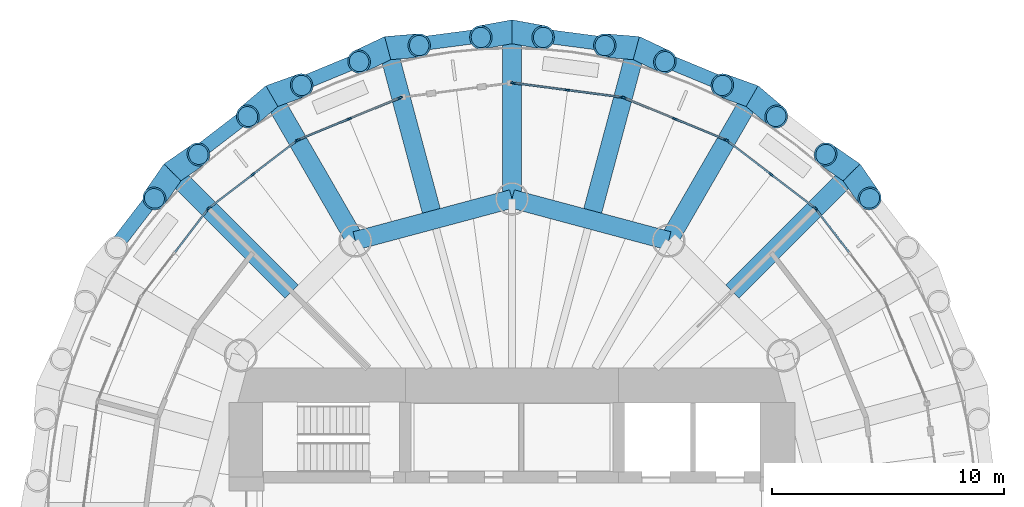
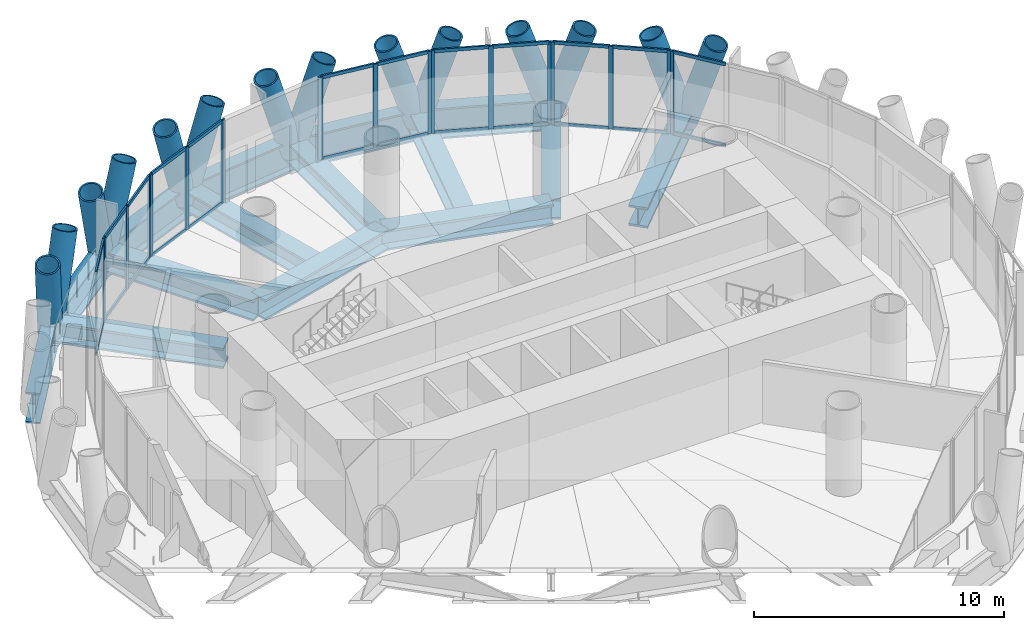
# One storey, part 5 of 12: 55 members, 15 beams, 7 elements without a shape of their own.
"""IFC4 building model written with IfcOpenShell, lengths in metres."""

from ifc_helpers import new_model, si_unit, direction, frame, origin, origin_2d, place, context, subcontext, project, spatial, rectangle, hollow_circle, i_section, extrude, material, material_profile, profile_set, type_object, element, aggregate, save


model = new_model("IFC4")

# Units and contexts
model_context = context("Model", 3, precision=1e-05, world=origin(), true_north=direction((0.0, 1.0)))
body_context = subcontext(model_context, "Body", "Model", "MODEL_VIEW")
ifc_project = project(units=[si_unit("LENGTHUNIT", "METRE"), si_unit("AREAUNIT", "SQUARE_METRE"), si_unit("VOLUMEUNIT", "CUBIC_METRE"), si_unit("PLANEANGLEUNIT", "RADIAN"), si_unit("MASSUNIT", "GRAM", prefix="KILO")], contexts=[model_context])

# Site, building, storey
site_placement = place(None, origin())
site = spatial("IfcSite", under=ifc_project, at=site_placement, CompositionType="ELEMENT")
building_placement = place(site_placement, origin())
building = spatial("IfcBuilding", under=site, at=building_placement, Name="Qaws Media Tower", CompositionType="ELEMENT")
storey_placement = place(building_placement, frame((0.0, 0.0, 278.0)))
storey = spatial("IfcBuildingStorey", under=building, at=storey_placement, Name="L64", CompositionType="ELEMENT", Elevation=278.0)

# Curtain wall, member
ifc_material_1 = material(Name="Aluminium and clear glass", Category="aluminium")
curtain_wall_type = type_object("IfcCurtainWallType", Name="Unitised curtain wall CW-D", PredefinedType="NOTDEFINED", material=ifc_material_1)
curtain_wall_1_placement = place(storey_placement, origin())
curtain_wall_1 = element("IfcCurtainWall", 1, at=curtain_wall_1_placement, inside=storey, type_object=curtain_wall_type, Name="CWD curtain wall L64-03", PredefinedType="NOTDEFINED")
ifc_material_2 = material(Name="Aluminium mullion", Category="aluminium")
ifc_material_profile_1 = material_profile(ifc_material_2, rectangle(XDim=0.080078125, YDim=0.199951171875, at=origin_2d()), Name="80x200")
ifc_profile_set_1 = profile_set([ifc_material_profile_1], Name="Aluminium mullion")
member_type_1 = type_object("IfcMemberType", Name="Curtain wall mullion 80x200", PredefinedType="MULLION", material=ifc_profile_set_1)
member_1_placement = place(storey_placement, frame((73.105712890625, 63.0498046875, 0.0), z_axis=(0.0, 0.0, 1.0), x_axis=(-0.793353257417, -0.608761537012, 0.0)))
member_1 = element("IfcMember", 2, at=member_1_placement, type_object=member_type_1, Name="CWD mullion 3", PredefinedType="MULLION", context=body_context, shape_type="SweptSolid", body=[
    extrude(rectangle(XDim=0.080078125, YDim=0.199951171875, at=origin_2d()), origin(), (0.0, 0.0, 1.0), 4.0400390625),
])

# Curtain wall, members
curtain_wall_2_placement = place(storey_placement, origin())
curtain_wall_2 = element("IfcCurtainWall", 3, at=curtain_wall_2_placement, inside=storey, type_object=curtain_wall_type, Name="CWD curtain wall L64-04", PredefinedType="NOTDEFINED")
member_2_placement = place(storey_placement, frame((73.0498046875, 63.105712890625, 0.0), z_axis=(0.0, 0.0, 1.0), x_axis=(-0.608761537012, -0.793353257417, 0.0)))
member_2 = element("IfcMember", 4, at=member_2_placement, type_object=member_type_1, Name="CWD mullion 1", PredefinedType="MULLION", context=body_context, shape_type="SweptSolid", body=[
    extrude(rectangle(XDim=0.080078125, YDim=0.199951171875, at=origin_2d()), origin(), (0.0, 0.0, 1.0), 4.0400390625),
])
member_3_placement = place(storey_placement, frame((71.165771484375, 64.551513671875, 0.0), z_axis=(0.0, 0.0, 1.0), x_axis=(-0.608761537012, -0.793353257417, 0.0)))
member_3 = element("IfcMember", 5, at=member_3_placement, type_object=member_type_1, Name="CWD mullion 2", PredefinedType="MULLION", context=body_context, shape_type="SweptSolid", body=[
    extrude(rectangle(XDim=0.080078125, YDim=0.199951171875, at=origin_2d()), origin(), (0.0, 0.0, 1.0), 4.0400390625),
])
member_4_placement = place(storey_placement, frame((69.28173828125, 65.9970703125, 0.0), z_axis=(0.0, 0.0, 1.0), x_axis=(-0.608761537012, -0.793353257417, 0.0)))
member_4 = element("IfcMember", 6, at=member_4_placement, type_object=member_type_1, Name="CWD mullion 3", PredefinedType="MULLION", context=body_context, shape_type="SweptSolid", body=[
    extrude(rectangle(XDim=0.080078125, YDim=0.199951171875, at=origin_2d()), origin(), (0.0, 0.0, 1.0), 4.0400390625),
])

curtain_wall_3_placement = place(storey_placement, origin())
curtain_wall_3 = element("IfcCurtainWall", 7, at=curtain_wall_3_placement, inside=storey, type_object=curtain_wall_type, Name="CWD curtain wall L64-05", PredefinedType="NOTDEFINED")
member_5_placement = place(storey_placement, frame((69.213134765625, 66.036865234375, 0.0), z_axis=(0.0, 0.0, 1.0), x_axis=(-0.382683440347, -0.923879529205, 0.0)))
member_5 = element("IfcMember", 8, at=member_5_placement, type_object=member_type_1, Name="CWD mullion 1", PredefinedType="MULLION", context=body_context, shape_type="SweptSolid", body=[
    extrude(rectangle(XDim=0.080078125, YDim=0.199951171875, at=origin_2d()), origin(), (0.0, 0.0, 1.0), 4.0400390625),
])
member_6_placement = place(storey_placement, frame((67.01904296875, 66.945556640625, 0.0), z_axis=(0.0, 0.0, 1.0), x_axis=(-0.382683440347, -0.923879529205, 0.0)))
member_6 = element("IfcMember", 9, at=member_6_placement, type_object=member_type_1, Name="CWD mullion 2", PredefinedType="MULLION", context=body_context, shape_type="SweptSolid", body=[
    extrude(rectangle(XDim=0.080078125, YDim=0.199951171875, at=origin_2d()), origin(), (0.0, 0.0, 1.0), 4.0400390625),
])
member_7_placement = place(storey_placement, frame((64.8251953125, 67.854248046875, 0.0), z_axis=(0.0, 0.0, 1.0), x_axis=(-0.382683440347, -0.923879529205, 0.0)))
member_7 = element("IfcMember", 10, at=member_7_placement, type_object=member_type_1, Name="CWD mullion 3", PredefinedType="MULLION", context=body_context, shape_type="SweptSolid", body=[
    extrude(rectangle(XDim=0.080078125, YDim=0.199951171875, at=origin_2d()), origin(), (0.0, 0.0, 1.0), 4.0400390625),
])

curtain_wall_4_placement = place(storey_placement, origin())
curtain_wall_4 = element("IfcCurtainWall", 11, at=curtain_wall_4_placement, inside=storey, type_object=curtain_wall_type, Name="CWD curtain wall L64-06", PredefinedType="NOTDEFINED")
member_8_placement = place(storey_placement, frame((64.74853515625, 67.874755859375, 0.0), z_axis=(0.0, 0.0, 1.0), x_axis=(-0.130526157699, -0.991444865919, 0.0)))
member_8 = element("IfcMember", 12, at=member_8_placement, type_object=member_type_1, Name="CWD mullion 1", PredefinedType="MULLION", context=body_context, shape_type="SweptSolid", body=[
    extrude(rectangle(XDim=0.080078125, YDim=0.199951171875, at=origin_2d()), origin(), (0.0, 0.0, 1.0), 4.0400390625),
])
member_9_placement = place(storey_placement, frame((62.39404296875, 68.184814453125, 0.0), z_axis=(0.0, 0.0, 1.0), x_axis=(-0.130526157699, -0.991444865919, 0.0)))
member_9 = element("IfcMember", 13, at=member_9_placement, type_object=member_type_1, Name="CWD mullion 2", PredefinedType="MULLION", context=body_context, shape_type="SweptSolid", body=[
    extrude(rectangle(XDim=0.080078125, YDim=0.199951171875, at=origin_2d()), origin(), (0.0, 0.0, 1.0), 4.0400390625),
])
member_10_placement = place(storey_placement, frame((60.03955078125, 68.494873046875, 0.0), z_axis=(0.0, 0.0, 1.0), x_axis=(-0.130526157699, -0.991444865919, 0.0)))
member_10 = element("IfcMember", 14, at=member_10_placement, type_object=member_type_1, Name="CWD mullion 3", PredefinedType="MULLION", context=body_context, shape_type="SweptSolid", body=[
    extrude(rectangle(XDim=0.080078125, YDim=0.199951171875, at=origin_2d()), origin(), (0.0, 0.0, 1.0), 4.0400390625),
])

curtain_wall_5_placement = place(storey_placement, origin())
curtain_wall_5 = element("IfcCurtainWall", 15, at=curtain_wall_5_placement, inside=storey, type_object=curtain_wall_type, Name="CWD curtain wall L64-08", PredefinedType="NOTDEFINED")
member_11_placement = place(storey_placement, frame((55.1748046875, 67.854248046875, 0.0), z_axis=(0.0, 0.0, 1.0), x_axis=(0.382683440347, -0.923879529205, 0.0)))
member_11 = element("IfcMember", 16, at=member_11_placement, type_object=member_type_1, Name="CWD mullion 1", PredefinedType="MULLION", context=body_context, shape_type="SweptSolid", body=[
    extrude(rectangle(XDim=0.080078125, YDim=0.199951171875, at=origin_2d()), origin(), (0.0, 0.0, 1.0), 4.0400390625),
])
member_12_placement = place(storey_placement, frame((52.98095703125, 66.945556640625, 0.0), z_axis=(0.0, 0.0, 1.0), x_axis=(0.382683440347, -0.923879529205, 0.0)))
member_12 = element("IfcMember", 17, at=member_12_placement, type_object=member_type_1, Name="CWD mullion 2", PredefinedType="MULLION", context=body_context, shape_type="SweptSolid", body=[
    extrude(rectangle(XDim=0.080078125, YDim=0.199951171875, at=origin_2d()), origin(), (0.0, 0.0, 1.0), 4.0400390625),
])
member_13_placement = place(storey_placement, frame((50.786865234375, 66.036865234375, 0.0), z_axis=(0.0, 0.0, 1.0), x_axis=(0.382683440347, -0.923879529205, 0.0)))
member_13 = element("IfcMember", 18, at=member_13_placement, type_object=member_type_1, Name="CWD mullion 3", PredefinedType="MULLION", context=body_context, shape_type="SweptSolid", body=[
    extrude(rectangle(XDim=0.080078125, YDim=0.199951171875, at=origin_2d()), origin(), (0.0, 0.0, 1.0), 4.0400390625),
])

curtain_wall_6_placement = place(storey_placement, origin())
curtain_wall_6 = element("IfcCurtainWall", 19, at=curtain_wall_6_placement, inside=storey, type_object=curtain_wall_type, Name="CWD curtain wall L64-09", PredefinedType="NOTDEFINED")
member_14_placement = place(storey_placement, frame((50.71826171875, 65.9970703125, 0.0), z_axis=(0.0, 0.0, 1.0), x_axis=(0.608761537012, -0.793353257417, 0.0)))
member_14 = element("IfcMember", 20, at=member_14_placement, type_object=member_type_1, Name="CWD mullion 1", PredefinedType="MULLION", context=body_context, shape_type="SweptSolid", body=[
    extrude(rectangle(XDim=0.080078125, YDim=0.199951171875, at=origin_2d()), origin(), (0.0, 0.0, 1.0), 4.0400390625),
])
member_15_placement = place(storey_placement, frame((48.834228515625, 64.551513671875, 0.0), z_axis=(0.0, 0.0, 1.0), x_axis=(0.608761537012, -0.793353257417, 0.0)))
member_15 = element("IfcMember", 21, at=member_15_placement, type_object=member_type_1, Name="CWD mullion 2", PredefinedType="MULLION", context=body_context, shape_type="SweptSolid", body=[
    extrude(rectangle(XDim=0.080078125, YDim=0.199951171875, at=origin_2d()), origin(), (0.0, 0.0, 1.0), 4.0400390625),
])
member_16_placement = place(storey_placement, frame((46.9501953125, 63.105712890625, 0.0), z_axis=(0.0, 0.0, 1.0), x_axis=(0.608761537012, -0.793353257417, 0.0)))
member_16 = element("IfcMember", 22, at=member_16_placement, type_object=member_type_1, Name="CWD mullion 3", PredefinedType="MULLION", context=body_context, shape_type="SweptSolid", body=[
    extrude(rectangle(XDim=0.080078125, YDim=0.199951171875, at=origin_2d()), origin(), (0.0, 0.0, 1.0), 4.0400390625),
])

# Curtain wall, member
curtain_wall_7_placement = place(storey_placement, origin())
curtain_wall_7 = element("IfcCurtainWall", 23, at=curtain_wall_7_placement, inside=storey, type_object=curtain_wall_type, Name="CWD curtain wall L64-10", PredefinedType="NOTDEFINED")
member_17_placement = place(storey_placement, frame((46.894287109375, 63.0498046875, 0.0), z_axis=(0.0, 0.0, 1.0), x_axis=(0.793353257417, -0.608761537012, 0.0)))
member_17 = element("IfcMember", 24, at=member_17_placement, type_object=member_type_1, Name="CWD mullion 1", PredefinedType="MULLION", context=body_context, shape_type="SweptSolid", body=[
    extrude(rectangle(XDim=0.080078125, YDim=0.199951171875, at=origin_2d()), origin(), (0.0, 0.0, 1.0), 4.0400390625),
])

# Member
ifc_material_3 = material(Name="Aluminium transom", Category="aluminium")
ifc_material_profile_2 = material_profile(ifc_material_3, rectangle(XDim=0.080078125, YDim=0.159912109375, at=origin_2d()), Name="80x160")
ifc_profile_set_2 = profile_set([ifc_material_profile_2], Name="Aluminium transom")
member_type_2 = type_object("IfcMemberType", Name="Curtain wall transom 80x160", PredefinedType="USERDEFINED", material=ifc_profile_set_2)
member_18_placement = place(storey_placement, frame((74.527099609375, 61.197509765625, 0.0400390625), z_axis=(-0.608764285018, 0.79335114879, 0.0), x_axis=(-0.79335114879, -0.608764285018, 0.0)))
member_18 = element("IfcMember", 25, at=member_18_placement, type_object=member_type_2, Name="CWD transom 2.1", ObjectType="TRANSOM", PredefinedType="USERDEFINED", context=body_context, shape_type="SweptSolid", body=[
    extrude(rectangle(XDim=0.080078125, YDim=0.159912109375, at=origin_2d()), origin(), (0.0, 0.0, 1.0), 2.294677734375),
])

member_19_placement = place(storey_placement, frame((74.527099609375, 61.197509765625, 4.0), z_axis=(-0.608764285018, 0.79335114879, 0.0), x_axis=(-0.79335114879, -0.608764285018, 0.0)))
member_19 = element("IfcMember", 26, at=member_19_placement, type_object=member_type_2, Name="CWD transom 2.2", ObjectType="TRANSOM", PredefinedType="USERDEFINED", context=body_context, shape_type="SweptSolid", body=[
    extrude(rectangle(XDim=0.080078125, YDim=0.159912109375, at=origin_2d()), origin(), (0.0, 0.0, 1.0), 2.294677734375),
])

aggregate(curtain_wall_1, [member_1, member_18, member_19])

member_20_placement = place(storey_placement, frame((73.01806640625, 63.130126953125, 0.0400390625), z_axis=(-0.79335114879, 0.608764285018, 0.0), x_axis=(-0.608764285018, -0.79335114879, 0.0)))
member_20 = element("IfcMember", 27, at=member_20_placement, type_object=member_type_2, Name="CWD transom 1.1", ObjectType="TRANSOM", PredefinedType="USERDEFINED", context=body_context, shape_type="SweptSolid", body=[
    extrude(rectangle(XDim=0.080078125, YDim=0.159912109375, at=origin_2d()), origin(), (0.0, 0.0, 1.0), 2.294677734375),
])

member_21_placement = place(storey_placement, frame((73.01806640625, 63.130126953125, 4.0), z_axis=(-0.79335114879, 0.608764285018, 0.0), x_axis=(-0.608764285018, -0.79335114879, 0.0)))
member_21 = element("IfcMember", 28, at=member_21_placement, type_object=member_type_2, Name="CWD transom 1.2", ObjectType="TRANSOM", PredefinedType="USERDEFINED", context=body_context, shape_type="SweptSolid", body=[
    extrude(rectangle(XDim=0.080078125, YDim=0.159912109375, at=origin_2d()), origin(), (0.0, 0.0, 1.0), 2.294677734375),
])

member_22_placement = place(storey_placement, frame((71.134033203125, 64.575927734375, 0.0400390625), z_axis=(-0.793402531875, 0.608697315925, 0.0), x_axis=(-0.608697315925, -0.793402531875, 0.0)))
member_22 = element("IfcMember", 29, at=member_22_placement, type_object=member_type_2, Name="CWD transom 2.1", ObjectType="TRANSOM", PredefinedType="USERDEFINED", context=body_context, shape_type="SweptSolid", body=[
    extrude(rectangle(XDim=0.080078125, YDim=0.159912109375, at=origin_2d()), origin(), (0.0, 0.0, 1.0), 2.294677734375),
])

member_23_placement = place(storey_placement, frame((71.134033203125, 64.575927734375, 4.0), z_axis=(-0.793402531875, 0.608697315925, 0.0), x_axis=(-0.608697315925, -0.793402531875, 0.0)))
member_23 = element("IfcMember", 30, at=member_23_placement, type_object=member_type_2, Name="CWD transom 2.2", ObjectType="TRANSOM", PredefinedType="USERDEFINED", context=body_context, shape_type="SweptSolid", body=[
    extrude(rectangle(XDim=0.080078125, YDim=0.159912109375, at=origin_2d()), origin(), (0.0, 0.0, 1.0), 2.294677734375),
])

aggregate(curtain_wall_2, [member_2, member_3, member_4, member_20, member_21, member_22, member_23])

member_24_placement = place(storey_placement, frame((69.176025390625, 66.052001953125, 0.0400390625), z_axis=(-0.923865100228, 0.382718273122, 0.0), x_axis=(-0.382718273122, -0.923865100228, 0.0)))
member_24 = element("IfcMember", 31, at=member_24_placement, type_object=member_type_2, Name="CWD transom 1.1", ObjectType="TRANSOM", PredefinedType="USERDEFINED", context=body_context, shape_type="SweptSolid", body=[
    extrude(rectangle(XDim=0.080078125, YDim=0.159912109375, at=origin_2d()), origin(), (0.0, 0.0, 1.0), 2.294677734375),
])

member_25_placement = place(storey_placement, frame((69.176025390625, 66.052001953125, 4.0), z_axis=(-0.923865100228, 0.382718273122, 0.0), x_axis=(-0.382718273122, -0.923865100228, 0.0)))
member_25 = element("IfcMember", 32, at=member_25_placement, type_object=member_type_2, Name="CWD transom 1.2", ObjectType="TRANSOM", PredefinedType="USERDEFINED", context=body_context, shape_type="SweptSolid", body=[
    extrude(rectangle(XDim=0.080078125, YDim=0.159912109375, at=origin_2d()), origin(), (0.0, 0.0, 1.0), 2.294677734375),
])

member_26_placement = place(storey_placement, frame((66.982177734375, 66.9609375, 0.0400390625), z_axis=(-0.923880682584, 0.382680655833, 0.0), x_axis=(-0.382680655833, -0.923880682584, 0.0)))
member_26 = element("IfcMember", 33, at=member_26_placement, type_object=member_type_2, Name="CWD transom 2.1", ObjectType="TRANSOM", PredefinedType="USERDEFINED", context=body_context, shape_type="SweptSolid", body=[
    extrude(rectangle(XDim=0.080078125, YDim=0.159912109375, at=origin_2d()), origin(), (0.0, 0.0, 1.0), 2.294677734375),
])

member_27_placement = place(storey_placement, frame((66.982177734375, 66.9609375, 4.0), z_axis=(-0.923880682584, 0.382680655833, 0.0), x_axis=(-0.382680655833, -0.923880682584, 0.0)))
member_27 = element("IfcMember", 34, at=member_27_placement, type_object=member_type_2, Name="CWD transom 2.2", ObjectType="TRANSOM", PredefinedType="USERDEFINED", context=body_context, shape_type="SweptSolid", body=[
    extrude(rectangle(XDim=0.080078125, YDim=0.159912109375, at=origin_2d()), origin(), (0.0, 0.0, 1.0), 2.294677734375),
])

aggregate(curtain_wall_3, [member_5, member_6, member_7, member_24, member_25, member_26, member_27])

member_28_placement = place(storey_placement, frame((64.708740234375, 67.880126953125, 0.0400390625), z_axis=(-0.991441253071, 0.130553597072, 0.0), x_axis=(-0.130553597072, -0.991441253071, 0.0)))
member_28 = element("IfcMember", 35, at=member_28_placement, type_object=member_type_2, Name="CWD transom 1.1", ObjectType="TRANSOM", PredefinedType="USERDEFINED", context=body_context, shape_type="SweptSolid", body=[
    extrude(rectangle(XDim=0.080078125, YDim=0.159912109375, at=origin_2d()), origin(), (0.0, 0.0, 1.0), 2.29443359375),
])

member_29_placement = place(storey_placement, frame((64.708740234375, 67.880126953125, 4.0), z_axis=(-0.991441253071, 0.130553597072, 0.0), x_axis=(-0.130553597072, -0.991441253071, 0.0)))
member_29 = element("IfcMember", 36, at=member_29_placement, type_object=member_type_2, Name="CWD transom 1.2", ObjectType="TRANSOM", PredefinedType="USERDEFINED", context=body_context, shape_type="SweptSolid", body=[
    extrude(rectangle(XDim=0.080078125, YDim=0.159912109375, at=origin_2d()), origin(), (0.0, 0.0, 1.0), 2.29443359375),
])

member_30_placement = place(storey_placement, frame((62.3544921875, 68.18994140625, 0.0400390625), z_axis=(-0.991443066303, 0.130539826414, 0.0), x_axis=(-0.130539826414, -0.991443066303, 0.0)))
member_30 = element("IfcMember", 37, at=member_30_placement, type_object=member_type_2, Name="CWD transom 2.1", ObjectType="TRANSOM", PredefinedType="USERDEFINED", context=body_context, shape_type="SweptSolid", body=[
    extrude(rectangle(XDim=0.080078125, YDim=0.159912109375, at=origin_2d()), origin(), (0.0, 0.0, 1.0), 2.294677734375),
])

member_31_placement = place(storey_placement, frame((62.3544921875, 68.18994140625, 4.0), z_axis=(-0.991443066303, 0.130539826414, 0.0), x_axis=(-0.130539826414, -0.991443066303, 0.0)))
member_31 = element("IfcMember", 38, at=member_31_placement, type_object=member_type_2, Name="CWD transom 2.2", ObjectType="TRANSOM", PredefinedType="USERDEFINED", context=body_context, shape_type="SweptSolid", body=[
    extrude(rectangle(XDim=0.080078125, YDim=0.159912109375, at=origin_2d()), origin(), (0.0, 0.0, 1.0), 2.294677734375),
])

aggregate(curtain_wall_4, [member_8, member_9, member_10, member_28, member_29, member_30, member_31])

member_32_placement = place(storey_placement, frame((55.137939453125, 67.839111328125, 0.0400390625), z_axis=(-0.923880682584, -0.382680655833, 0.0), x_axis=(0.382680655833, -0.923880682584, 0.0)))
member_32 = element("IfcMember", 39, at=member_32_placement, type_object=member_type_2, Name="CWD transom 1.1", ObjectType="TRANSOM", PredefinedType="USERDEFINED", context=body_context, shape_type="SweptSolid", body=[
    extrude(rectangle(XDim=0.080078125, YDim=0.159912109375, at=origin_2d()), origin(), (0.0, 0.0, 1.0), 2.294677734375),
])

member_33_placement = place(storey_placement, frame((55.137939453125, 67.839111328125, 4.0), z_axis=(-0.923880682584, -0.382680655833, 0.0), x_axis=(0.382680655833, -0.923880682584, 0.0)))
member_33 = element("IfcMember", 40, at=member_33_placement, type_object=member_type_2, Name="CWD transom 1.2", ObjectType="TRANSOM", PredefinedType="USERDEFINED", context=body_context, shape_type="SweptSolid", body=[
    extrude(rectangle(XDim=0.080078125, YDim=0.159912109375, at=origin_2d()), origin(), (0.0, 0.0, 1.0), 2.294677734375),
])

member_34_placement = place(storey_placement, frame((52.94384765625, 66.93017578125, 0.0400390625), z_axis=(-0.923865100228, -0.382718273122, 0.0), x_axis=(0.382718273122, -0.923865100228, 0.0)))
member_34 = element("IfcMember", 41, at=member_34_placement, type_object=member_type_2, Name="CWD transom 2.1", ObjectType="TRANSOM", PredefinedType="USERDEFINED", context=body_context, shape_type="SweptSolid", body=[
    extrude(rectangle(XDim=0.080078125, YDim=0.159912109375, at=origin_2d()), origin(), (0.0, 0.0, 1.0), 2.294677734375),
])

member_35_placement = place(storey_placement, frame((52.94384765625, 66.93017578125, 4.0), z_axis=(-0.923865100228, -0.382718273122, 0.0), x_axis=(0.382718273122, -0.923865100228, 0.0)))
member_35 = element("IfcMember", 42, at=member_35_placement, type_object=member_type_2, Name="CWD transom 2.2", ObjectType="TRANSOM", PredefinedType="USERDEFINED", context=body_context, shape_type="SweptSolid", body=[
    extrude(rectangle(XDim=0.080078125, YDim=0.159912109375, at=origin_2d()), origin(), (0.0, 0.0, 1.0), 2.294677734375),
])

aggregate(curtain_wall_5, [member_11, member_12, member_13, member_32, member_33, member_34, member_35])

member_36_placement = place(storey_placement, frame((50.6865234375, 65.97265625, 0.0400390625), z_axis=(-0.793402531875, -0.608697315925, 0.0), x_axis=(0.608697315925, -0.793402531875, 0.0)))
member_36 = element("IfcMember", 43, at=member_36_placement, type_object=member_type_2, Name="CWD transom 1.1", ObjectType="TRANSOM", PredefinedType="USERDEFINED", context=body_context, shape_type="SweptSolid", body=[
    extrude(rectangle(XDim=0.080078125, YDim=0.159912109375, at=origin_2d()), origin(), (0.0, 0.0, 1.0), 2.294677734375),
])

member_37_placement = place(storey_placement, frame((50.6865234375, 65.97265625, 4.0), z_axis=(-0.793402531875, -0.608697315925, 0.0), x_axis=(0.608697315925, -0.793402531875, 0.0)))
member_37 = element("IfcMember", 44, at=member_37_placement, type_object=member_type_2, Name="CWD transom 1.2", ObjectType="TRANSOM", PredefinedType="USERDEFINED", context=body_context, shape_type="SweptSolid", body=[
    extrude(rectangle(XDim=0.080078125, YDim=0.159912109375, at=origin_2d()), origin(), (0.0, 0.0, 1.0), 2.294677734375),
])

member_38_placement = place(storey_placement, frame((48.802490234375, 64.527099609375, 0.0400390625), z_axis=(-0.79335114879, -0.608764285018, 0.0), x_axis=(0.608764285018, -0.79335114879, 0.0)))
member_38 = element("IfcMember", 45, at=member_38_placement, type_object=member_type_2, Name="CWD transom 2.1", ObjectType="TRANSOM", PredefinedType="USERDEFINED", context=body_context, shape_type="SweptSolid", body=[
    extrude(rectangle(XDim=0.080078125, YDim=0.159912109375, at=origin_2d()), origin(), (0.0, 0.0, 1.0), 2.294677734375),
])

member_39_placement = place(storey_placement, frame((48.802490234375, 64.527099609375, 4.0), z_axis=(-0.79335114879, -0.608764285018, 0.0), x_axis=(0.608764285018, -0.79335114879, 0.0)))
member_39 = element("IfcMember", 46, at=member_39_placement, type_object=member_type_2, Name="CWD transom 2.2", ObjectType="TRANSOM", PredefinedType="USERDEFINED", context=body_context, shape_type="SweptSolid", body=[
    extrude(rectangle(XDim=0.080078125, YDim=0.159912109375, at=origin_2d()), origin(), (0.0, 0.0, 1.0), 2.294677734375),
])

aggregate(curtain_wall_6, [member_14, member_15, member_16, member_36, member_37, member_38, member_39])

member_40_placement = place(storey_placement, frame((46.869873046875, 63.01806640625, 0.0400390625), z_axis=(-0.608764285018, -0.79335114879, 0.0), x_axis=(0.79335114879, -0.608764285018, 0.0)))
member_40 = element("IfcMember", 47, at=member_40_placement, type_object=member_type_2, Name="CWD transom 1.1", ObjectType="TRANSOM", PredefinedType="USERDEFINED", context=body_context, shape_type="SweptSolid", body=[
    extrude(rectangle(XDim=0.080078125, YDim=0.159912109375, at=origin_2d()), origin(), (0.0, 0.0, 1.0), 2.294677734375),
])

member_41_placement = place(storey_placement, frame((46.869873046875, 63.01806640625, 4.0), z_axis=(-0.608764285018, -0.79335114879, 0.0), x_axis=(0.79335114879, -0.608764285018, 0.0)))
member_41 = element("IfcMember", 48, at=member_41_placement, type_object=member_type_2, Name="CWD transom 1.2", ObjectType="TRANSOM", PredefinedType="USERDEFINED", context=body_context, shape_type="SweptSolid", body=[
    extrude(rectangle(XDim=0.080078125, YDim=0.159912109375, at=origin_2d()), origin(), (0.0, 0.0, 1.0), 2.294677734375),
])

aggregate(curtain_wall_7, [member_17, member_40, member_41])

# Members
ifc_material_4 = material(Name="Steel S460", Category="steel")
ifc_material_profile_3 = material_profile(ifc_material_4, hollow_circle(Radius=0.508056640625, WallThickness=0.070068359375, at=origin_2d()), Name="CHS 1016x70")
ifc_profile_set_3 = profile_set([ifc_material_profile_3], Name="Steel S460")
member_type_3 = type_object("IfcMemberType", Name="Diagrid member CHS 1016x70", PredefinedType="USERDEFINED", material=ifc_profile_set_3)
for number, where, z_axis, x_axis, name in (
    (49, (74.63720703125, 64.63720703125, -0.909912109375), (-0.253789442655, 0.175606812608, 0.95118513769), (-0.569005004682, -0.822334059034, 0.0), "DG3 diagrid L64 A04"),
    (50, (74.63720703125, 64.63720703125, -0.909912109375), (0.175606812608, -0.253789442655, 0.95118513769), (0.822334059034, 0.569005004682, 0.0), "DG3 diagrid L64 B04"),
    (51, (70.35009765625, 67.9267578125, -0.909912109375), (-0.290609963526, 0.104002538317, 0.951172603223), (-0.336949106436, -0.941522862002, 0.0), "DG3 diagrid L64 A05"),
    (52, (70.35009765625, 67.9267578125, -0.909912109375), (0.23532277379, -0.199659430488, 0.951188364076), (0.646961664778, 0.762522527082, 0.0), "DG3 diagrid L64 B05"),
    (53, (65.357666015625, 69.99462890625, -0.909912109375), (-0.307638091585, 0.025267902202, 0.951167880936), (-0.081859499083, -0.996643879432, 0.0), "DG3 diagrid L64 A06"),
    (54, (65.357666015625, 69.99462890625, -0.909912109375), (0.279002496115, -0.131926269467, 0.951185085347), (0.427470137527, 0.904029469388, 0.0), "DG3 diagrid L64 B06"),
    (55, (60.0, 70.699951171875, -0.909912109375), (-0.303660346355, -0.055236104517, 0.951177883894), (0.178964260724, -0.98385557547, 0.0), "DG3 diagrid L64 A07"),
    (56, (60.0, 70.699951171875, -0.909912109375), (0.303660346355, -0.055236104517, 0.951177883894), (0.178964260724, 0.98385557547, 0.0), "DG3 diagrid L64 B07"),
    (57, (54.642333984375, 69.99462890625, -0.909912109375), (-0.279002496115, -0.131926269467, 0.951185085347), (0.427470137527, -0.904029469388, 0.0), "DG3 diagrid L64 A08"),
    (58, (54.642333984375, 69.99462890625, -0.909912109375), (0.307638091585, 0.025267902202, 0.951167880936), (-0.081859499083, 0.996643879432, 0.0), "DG3 diagrid L64 B08"),
    (59, (49.64990234375, 67.9267578125, -0.909912109375), (-0.23532277379, -0.199659430488, 0.951188364076), (0.646961664778, -0.762522527082, 0.0), "DG3 diagrid L64 A09"),
    (60, (49.64990234375, 67.9267578125, -0.909912109375), (0.290609963526, 0.104002538317, 0.951172603223), (-0.336949106436, 0.941522862002, 0.0), "DG3 diagrid L64 B09"),
    (61, (45.36279296875, 64.63720703125, -0.909912109375), (-0.175606812608, -0.253789442655, 0.95118513769), (0.822334059034, -0.569005004682, 0.0), "DG3 diagrid L64 A10"),
    (62, (45.36279296875, 64.63720703125, -0.909912109375), (0.253789442655, 0.175606812608, 0.95118513769), (-0.569005004682, 0.822334059034, 0.0), "DG3 diagrid L64 B10"),
):
    element("IfcMember", number, at=place(storey_placement, frame(where, z_axis=z_axis, x_axis=x_axis)), inside=storey, type_object=member_type_3, Name=name, ObjectType="DIAGRID", PredefinedType="USERDEFINED", context=body_context, shape_type="SweptSolid", body=[
        extrude(hollow_circle(Radius=0.508056640625, WallThickness=0.070068359375, at=origin_2d()), origin(), (0.0, 0.0, 1.0), 4.41552734375),
    ])

# Beams
ifc_material_5 = material(Name="Steel S460", Category="steel")
ifc_material_profile_4 = material_profile(ifc_material_5, i_section(OverallWidth=0.60009765625, OverallDepth=1.5, WebThickness=0.030029296875, FlangeThickness=0.080078125, at=origin_2d()), Name="PG 1500x600")
ifc_profile_set_4 = profile_set([ifc_material_profile_4], Name="Steel S460")
beam_type_1 = type_object("IfcBeamType", Name="Edge ring beam PG 1500x600", PredefinedType="BEAM", material=ifc_profile_set_4)
for number, where, z_axis, x_axis, name in (
    (63, (70.35009765625, 67.9267578125, -0.909912109375), (-0.923883575944, 0.382673670509, 0.0), (-0.382673670509, -0.923883575944, 0.0), "RB5 edge ring beam L64-05"),
    (64, (65.357666015625, 69.99462890625, -0.909912109375), (-0.991445528216, 0.130521126954, 0.0), (-0.130521126954, -0.991445528216, 0.0), "RB5 edge ring beam L64-06"),
    (65, (60.0, 70.699951171875, -0.909912109375), (-0.991445528216, -0.130521126954, 0.0), (0.130521126954, -0.991445528216, 0.0), "RB5 edge ring beam L64-07"),
    (66, (54.642333984375, 69.99462890625, -0.909912109375), (-0.923883575944, -0.382673670509, 0.0), (0.382673670509, -0.923883575944, 0.0), "RB5 edge ring beam L64-08"),
    (67, (49.64990234375, 67.9267578125, -0.909912109375), (-0.793359055165, -0.608753981167, 0.0), (0.608753981167, -0.793359055165, 0.0), "RB5 edge ring beam L64-09"),
    (68, (45.36279296875, 64.63720703125, -0.909912109375), (-0.608753981167, -0.793359055165, 0.0), (0.793359055165, -0.608753981167, 0.0), "RB5 edge ring beam L64-10"),
):
    element("IfcBeam", number, at=place(storey_placement, frame(where, z_axis=z_axis, x_axis=x_axis)), inside=storey, type_object=beam_type_1, Name=name, PredefinedType="BEAM", context=body_context, shape_type="SweptSolid", body=[
        extrude(i_section(OverallWidth=0.60009765625, OverallDepth=1.5, WebThickness=0.030029296875, FlangeThickness=0.080078125, at=origin_2d()), origin(), (0.0, 0.0, 1.0), 5.40380859375),
    ])
ifc_material_6 = material(Name="Steel S460", Category="steel")
ifc_material_profile_5 = material_profile(ifc_material_6, i_section(OverallWidth=0.800048828125, OverallDepth=1.0, WebThickness=0.0400390625, FlangeThickness=0.10009765625, at=origin_2d()), Name="PG 1000x800")
ifc_profile_set_5 = profile_set([ifc_material_profile_5], Name="Steel S460")
beam_type_2 = type_object("IfcBeamType", Name="Inner ring girder PG 1000x800", PredefinedType="BEAM", material=ifc_profile_set_5)
for number, where, z_axis, x_axis, name in (
    (69, (66.75, 61.69140625, -0.659912109375), (-0.965928090778, 0.258810593767, 0.0), (-0.258810593767, -0.965928090778, 0.0), "B3 inner ring beam L64 I03-I04"),
    (70, (60.0, 63.5, -0.659912109375), (-0.965928090778, -0.258810593767, 0.0), (0.258810593767, -0.965928090778, 0.0), "B3 inner ring beam L64 I04-I05"),
):
    element("IfcBeam", number, at=place(storey_placement, frame(where, z_axis=z_axis, x_axis=x_axis)), inside=storey, type_object=beam_type_2, Name=name, PredefinedType="BEAM", context=body_context, shape_type="SweptSolid", body=[
        extrude(i_section(OverallWidth=0.800048828125, OverallDepth=1.0, WebThickness=0.0400390625, FlangeThickness=0.10009765625, at=origin_2d()), origin(), (0.0, 0.0, 1.0), 6.988037109375),
    ])
ifc_material_7 = material(Name="Steel S460", Category="steel")
ifc_material_profile_6 = material_profile(ifc_material_7, i_section(OverallWidth=0.800048828125, OverallDepth=1.0, WebThickness=0.0400390625, FlangeThickness=0.10009765625, at=origin_2d()), Name="PG 1000x800")
ifc_profile_set_6 = profile_set([ifc_material_profile_6], Name="Steel S460")
beam_type_3 = type_object("IfcBeamType", Name="Radial girder PG 1000x800", PredefinedType="BEAM", material=ifc_profile_set_6)
beam_1_placement = place(storey_placement, frame((69.50341796875, 59.50341796875, -0.659912109375), z_axis=(0.707106781187, 0.707106781187, 0.0), x_axis=(-0.707106781187, 0.707106781187, 0.0)))
element("IfcBeam", 71, at=beam_1_placement, inside=storey, type_object=beam_type_3, Name="B1 radial beam L64 04", PredefinedType="BEAM", context=body_context, shape_type="SweptSolid", body=[
    extrude(i_section(OverallWidth=0.800048828125, OverallDepth=1.0, WebThickness=0.0400390625, FlangeThickness=0.10009765625, at=origin_2d()), origin(), (0.0, 0.0, 1.0), 7.26025390625),
])
beam_2_placement = place(storey_placement, frame((66.75, 61.69140625, -0.659912109375), z_axis=(0.500012057535, 0.866018442252, 0.0), x_axis=(-0.866018442252, 0.500012057535, 0.0)))
element("IfcBeam", 72, at=beam_2_placement, inside=storey, type_object=beam_type_3, Name="B1 radial beam L64 05", PredefinedType="BEAM", context=body_context, shape_type="SweptSolid", body=[
    extrude(i_section(OverallWidth=0.800048828125, OverallDepth=1.0, WebThickness=0.0400390625, FlangeThickness=0.10009765625, at=origin_2d()), origin(), (0.0, 0.0, 1.0), 7.199951171875),
])
beam_3_placement = place(storey_placement, frame((63.478515625, 62.98193359375, -0.659912109375), z_axis=(0.258832454679, 0.965922233104, 0.0), x_axis=(-0.965922233104, 0.258832454679, 0.0)))
element("IfcBeam", 73, at=beam_3_placement, inside=storey, type_object=beam_type_3, Name="B1 radial beam L64 06", PredefinedType="BEAM", context=body_context, shape_type="SweptSolid", body=[
    extrude(i_section(OverallWidth=0.800048828125, OverallDepth=1.0, WebThickness=0.0400390625, FlangeThickness=0.10009765625, at=origin_2d()), origin(), (0.0, 0.0, 1.0), 7.260009765625),
])
beam_4_placement = place(storey_placement, frame((60.0, 63.5, -0.659912109375), z_axis=(0.0, 1.0, 0.0), x_axis=(-1.0, 0.0, 0.0)))
element("IfcBeam", 74, at=beam_4_placement, inside=storey, type_object=beam_type_3, Name="B1 radial beam L64 07", PredefinedType="BEAM", context=body_context, shape_type="SweptSolid", body=[
    extrude(i_section(OverallWidth=0.800048828125, OverallDepth=1.0, WebThickness=0.0400390625, FlangeThickness=0.10009765625, at=origin_2d()), origin(), (0.0, 0.0, 1.0), 7.199951171875),
])
beam_5_placement = place(storey_placement, frame((56.521484375, 62.98193359375, -0.659912109375), z_axis=(-0.258832454679, 0.965922233104, 0.0), x_axis=(-0.965922233104, -0.258832454679, 0.0)))
element("IfcBeam", 75, at=beam_5_placement, inside=storey, type_object=beam_type_3, Name="B1 radial beam L64 08", PredefinedType="BEAM", context=body_context, shape_type="SweptSolid", body=[
    extrude(i_section(OverallWidth=0.800048828125, OverallDepth=1.0, WebThickness=0.0400390625, FlangeThickness=0.10009765625, at=origin_2d()), origin(), (0.0, 0.0, 1.0), 7.260009765625),
])
beam_6_placement = place(storey_placement, frame((53.25, 61.69140625, -0.659912109375), z_axis=(-0.500012057535, 0.866018442252, 0.0), x_axis=(-0.866018442252, -0.500012057535, 0.0)))
element("IfcBeam", 76, at=beam_6_placement, inside=storey, type_object=beam_type_3, Name="B1 radial beam L64 09", PredefinedType="BEAM", context=body_context, shape_type="SweptSolid", body=[
    extrude(i_section(OverallWidth=0.800048828125, OverallDepth=1.0, WebThickness=0.0400390625, FlangeThickness=0.10009765625, at=origin_2d()), origin(), (0.0, 0.0, 1.0), 7.199951171875),
])
beam_7_placement = place(storey_placement, frame((50.49658203125, 59.50341796875, -0.659912109375), z_axis=(-0.707106781187, 0.707106781187, 0.0), x_axis=(-0.707106781187, -0.707106781187, 0.0)))
element("IfcBeam", 77, at=beam_7_placement, inside=storey, type_object=beam_type_3, Name="B1 radial beam L64 10", PredefinedType="BEAM", context=body_context, shape_type="SweptSolid", body=[
    extrude(i_section(OverallWidth=0.800048828125, OverallDepth=1.0, WebThickness=0.0400390625, FlangeThickness=0.10009765625, at=origin_2d()), origin(), (0.0, 0.0, 1.0), 7.26025390625),
])

save(model, "model.ifc")
